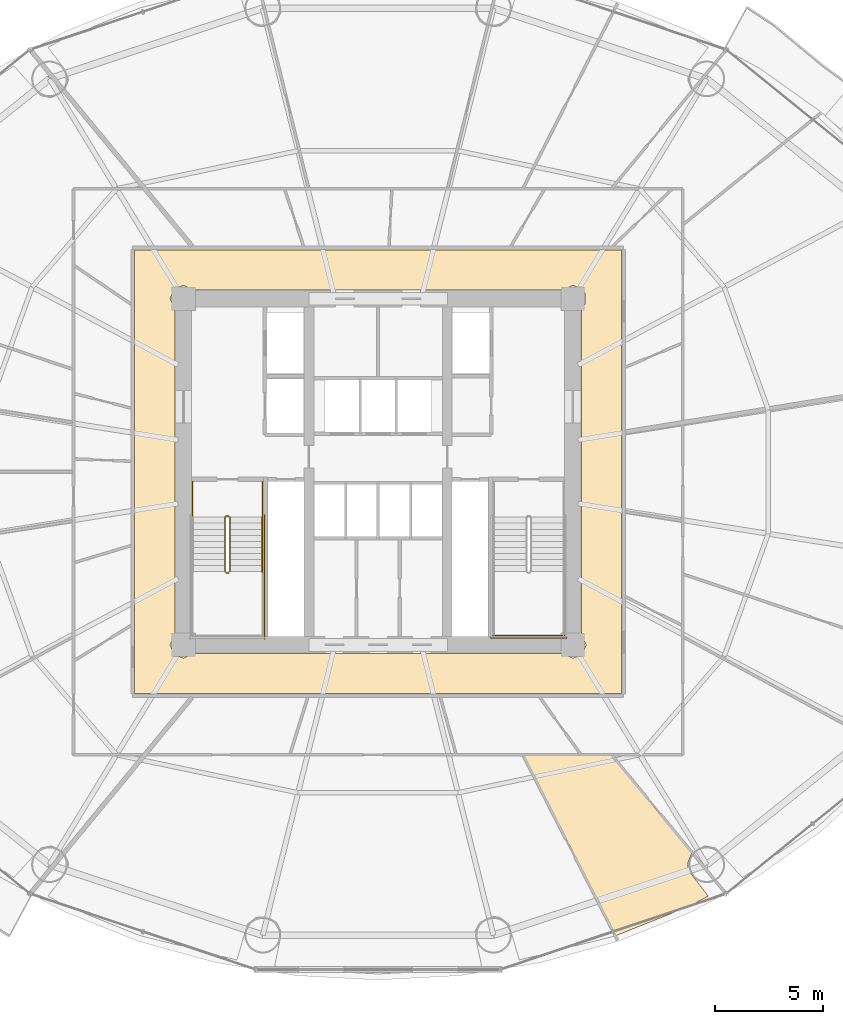
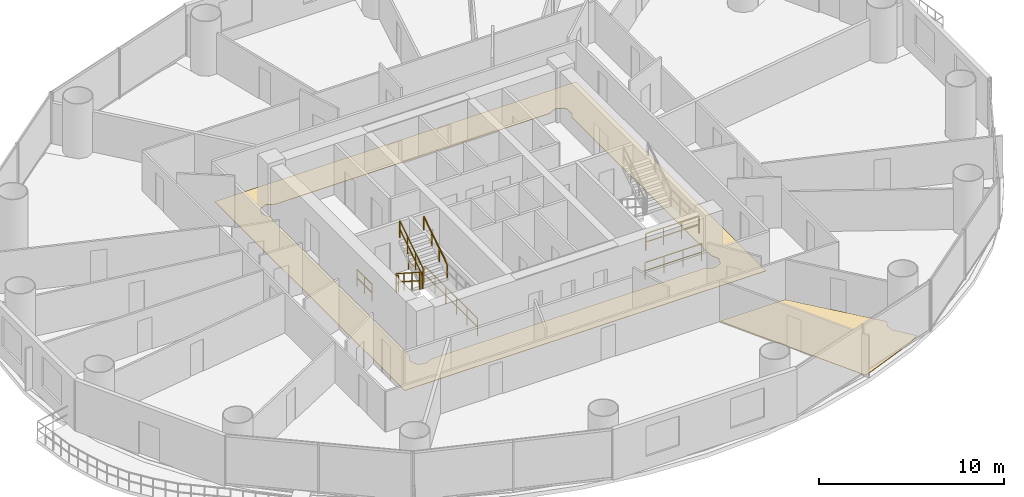
# One storey, part 26 of 28: 10 railings, 2 coverings.
"""IFC4 building model written with IfcOpenShell, lengths in metres."""

from ifc_helpers import new_model, si_unit, direction, frame, origin, origin_2d, place, context, subcontext, project, spatial, polyline, rectangle, outline, extrude, material, layer, layer_set, type_object, element, save


model = new_model("IFC4")

# Units and contexts
model_context = context("Model", 3, precision=1e-05, world=origin(), true_north=direction((-0.2419218956, 0.970295726276)))
body_context = subcontext(model_context, "Body", "Model", "MODEL_VIEW")
ifc_project = project(units=[si_unit("LENGTHUNIT", "METRE"), si_unit("AREAUNIT", "SQUARE_METRE"), si_unit("VOLUMEUNIT", "CUBIC_METRE"), si_unit("PLANEANGLEUNIT", "RADIAN"), si_unit("MASSUNIT", "GRAM", prefix="KILO")], contexts=[model_context])

# Site, building, storey
site_placement = place(None, origin())
site = spatial("IfcSite", under=ifc_project, at=site_placement, CompositionType="ELEMENT")
building_placement = place(site_placement, origin())
building = spatial("IfcBuilding", under=site, at=building_placement, Name="Cobrevalo Terracotta Tower", CompositionType="ELEMENT")
storey_placement = place(building_placement, frame((0.0, 0.0, 42.0)))
storey = spatial("IfcBuildingStorey", under=building, at=storey_placement, Name="L10", CompositionType="ELEMENT", Elevation=42.0)

# Coverings
ifc_material_1 = material(Name="Engineered Brazilian hardwood flooring", Category="wood")
ifc_layer_1 = layer(ifc_material_1, 0.028076171875)
ifc_layer_set_1 = layer_set([ifc_layer_1], Name="Engineered Brazilian hardwood flooring")
covering_type_1 = type_object("IfcCoveringType", Name="Engineered Hardwood Suite Flooring 28", PredefinedType="FLOORING", material=ifc_layer_set_1)
covering_1_placement = place(storey_placement, origin())
element("IfcCovering", 1, at=covering_1_placement, inside=storey, type_object=covering_type_1, Name="Flat L10C Master Bedroom floor finish", PredefinedType="FLOORING", context=body_context, shape_type="SweptSolid", body=[
    extrude(outline(polyline([(48.9873046875, 5.3486328125), (44.72119140625, 13.695068359375), (48.780029296875, 13.695068359375), (52.5048828125, 9.177490234375), (52.318115234375, 8.71044921875), (52.35498046875, 8.369140625), (53.26318359375, 7.178955078125), (52.361572265625, 6.691650390625), (48.9873046875, 5.3486328125)])), origin(), (0.0, 0.0, 1.0), 0.030029296875),
])
ifc_material_2 = material(Name="Honed terracotta and granite tile", Category="masonry")
ifc_layer_2 = layer(ifc_material_2, 0.034912109375)
ifc_layer_set_2 = layer_set([ifc_layer_2], Name="Honed terracotta and granite tile")
covering_type_2 = type_object("IfcCoveringType", Name="Honed Terracotta & Granite Interior Flooring 35", PredefinedType="FLOORING", material=ifc_layer_set_2)
covering_2_placement = place(storey_placement, origin())
element("IfcCovering", 2, at=covering_2_placement, inside=storey, type_object=covering_type_2, Name="L10 Residential Floor Corridor floor finish", PredefinedType="FLOORING", context=body_context, shape_type="SweptSolid", body=[
    extrude(outline(polyline([(49.2548828125, 37.054931640625), (49.2548828125, 16.544921875), (26.7451171875, 16.544921875), (26.7451171875, 37.054931640625), (49.2548828125, 37.054931640625)]), holes=[polyline([(47.39501953125, 34.33203125), (47.5732421875, 34.5625), (47.5732421875, 35.037353515625), (47.438720703125, 35.23876953125), (47.0, 35.42041015625), (46.5322265625, 35.195068359375), (29.4677734375, 35.195068359375), (29.0, 35.42041015625), (28.561279296875, 35.23876953125), (28.379638671875, 34.800048828125), (28.60498046875, 34.33203125), (28.60498046875, 19.267822265625), (28.379638671875, 18.800048828125), (28.561279296875, 18.361328125), (29.0, 18.1796875), (29.4677734375, 18.405029296875), (46.5322265625, 18.405029296875), (47.0, 18.1796875), (47.438720703125, 18.361328125), (47.620361328125, 18.800048828125), (47.39501953125, 19.267822265625), (47.39501953125, 34.33203125)])]), origin(), (0.0, 0.0, 1.0), 0.030029296875),
])

# Railings
ifc_material_3 = material(Name="Brushed stainless steel", Category="steel")
railing_type_1 = type_object("IfcRailingType", Name="Stainless Steel Stair Handrail 900", PredefinedType="HANDRAIL", material=ifc_material_3)
railing_1_placement = place(storey_placement, frame((32.64501953125, 22.179931640625, 1.97998046875)))
element("IfcRailing", 3, at=railing_1_placement, inside=storey, type_object=railing_type_1, Name="L10 ST-1 stair handrail 2", PredefinedType="HANDRAIL", context=body_context, shape_type="SweptSolid", body=[
    extrude(rectangle(XDim=0.048095703125, YDim=0.048095703125, at=origin_2d()), frame((0.0, 0.0, 0.8759765625), z_axis=(0.0, 0.841162588446, 0.540782303519), x_axis=(-1.0, 0.0, 0.0)), (0.0, 0.0, 1.0), 2.995849609375),
    extrude(rectangle(XDim=0.0419921875, YDim=0.0419921875, at=origin_2d()), origin(), (0.0, 0.0, 1.0), 0.851806640625),
    extrude(rectangle(XDim=0.0419921875, YDim=0.0419921875, at=origin_2d()), frame((0.0, 0.840087890625, 0.5400390625)), (0.0, 0.0, 1.0), 0.851806640625),
    extrude(rectangle(XDim=0.0419921875, YDim=0.0419921875, at=origin_2d()), frame((0.0, 1.679931640625, 1.080078125)), (0.0, 0.0, 1.0), 0.851806640625),
    extrude(rectangle(XDim=0.0419921875, YDim=0.0419921875, at=origin_2d()), frame((0.0, 2.52001953125, 1.6201171875)), (0.0, 0.0, 1.0), 0.851806640625),
])
ifc_material_4 = material(Name="Painted galvanized steel", Category="steel")
railing_type_2 = type_object("IfcRailingType", Name="Stair Well Guard Balustrade 1150", PredefinedType="GUARDRAIL", material=ifc_material_4)
railing_2_placement = place(storey_placement, frame((30.925048828125, 24.699951171875, 0.179931640625)))
element("IfcRailing", 4, at=railing_2_placement, inside=storey, type_object=railing_type_2, Name="L10 ST-1 stair guard 1", PredefinedType="GUARDRAIL", context=body_context, shape_type="SweptSolid", body=[
    extrude(rectangle(XDim=0.048095703125, YDim=0.048095703125, at=origin_2d()), frame((0.0, 0.0, 1.1259765625), z_axis=(0.0, -0.841162588446, 0.540782303519), x_axis=(1.0, 0.0, 0.0)), (0.0, 0.0, 1.0), 2.995849609375),
    extrude(rectangle(XDim=0.048095703125, YDim=0.048095703125, at=origin_2d()), frame((0.0, 0.0, 0.574951171875), z_axis=(0.0, -0.841162588446, 0.540782303519), x_axis=(1.0, 0.0, 0.0)), (0.0, 0.0, 1.0), 2.995849609375),
    extrude(rectangle(XDim=0.0419921875, YDim=0.0419921875, at=origin_2d()), origin(), (0.0, 0.0, 1.0), 1.101806640625),
    extrude(rectangle(XDim=0.0419921875, YDim=0.0419921875, at=origin_2d()), frame((0.0, -0.840087890625, 0.5400390625)), (0.0, 0.0, 1.0), 1.101806640625),
    extrude(rectangle(XDim=0.0419921875, YDim=0.0419921875, at=origin_2d()), frame((0.0, -1.679931640625, 1.080078125)), (0.0, 0.0, 1.0), 1.101806640625),
    extrude(rectangle(XDim=0.0419921875, YDim=0.0419921875, at=origin_2d()), frame((0.0, -2.52001953125, 1.6201171875)), (0.0, 0.0, 1.0), 1.101806640625),
])
railing_3_placement = place(storey_placement, frame((30.97509765625, 22.1298828125, 1.800048828125)))
element("IfcRailing", 5, at=railing_3_placement, inside=storey, type_object=railing_type_2, Name="L10 ST-1 stair guard 2", PredefinedType="GUARDRAIL", context=body_context, shape_type="SweptSolid", body=[
    extrude(rectangle(XDim=0.048095703125, YDim=0.048095703125, at=origin_2d()), frame((0.0, 0.0, 1.1259765625), z_axis=(1.0, 0.0, 0.0), x_axis=(0.0, 1.0, 0.0)), (0.0, 0.0, 1.0), 0.119873046875),
    extrude(rectangle(XDim=0.048095703125, YDim=0.048095703125, at=origin_2d()), frame((0.0, 0.0, 0.574951171875), z_axis=(1.0, 0.0, 0.0), x_axis=(0.0, 1.0, 0.0)), (0.0, 0.0, 1.0), 0.119873046875),
    extrude(rectangle(XDim=0.0419921875, YDim=0.0419921875, at=origin_2d()), origin(), (0.0, 0.0, 1.0), 1.101806640625),
    extrude(rectangle(XDim=0.0419921875, YDim=0.0419921875, at=origin_2d()), frame((0.119873046875, 0.0, 0.0)), (0.0, 0.0, 1.0), 1.101806640625),
])
railing_4_placement = place(storey_placement, frame((31.14501953125, 22.179931640625, 1.97998046875)))
element("IfcRailing", 6, at=railing_4_placement, inside=storey, type_object=railing_type_2, Name="L10 ST-1 stair guard 6", PredefinedType="GUARDRAIL", context=body_context, shape_type="SweptSolid", body=[
    extrude(rectangle(XDim=0.048095703125, YDim=0.048095703125, at=origin_2d()), frame((0.0, 0.0, 1.1259765625), z_axis=(0.0, 0.841162588446, 0.540782303519), x_axis=(-1.0, 0.0, 0.0)), (0.0, 0.0, 1.0), 2.995849609375),
    extrude(rectangle(XDim=0.048095703125, YDim=0.048095703125, at=origin_2d()), frame((0.0, 0.0, 0.574951171875), z_axis=(0.0, 0.841162588446, 0.540782303519), x_axis=(-1.0, 0.0, 0.0)), (0.0, 0.0, 1.0), 2.995849609375),
    extrude(rectangle(XDim=0.0419921875, YDim=0.0419921875, at=origin_2d()), origin(), (0.0, 0.0, 1.0), 1.101806640625),
    extrude(rectangle(XDim=0.0419921875, YDim=0.0419921875, at=origin_2d()), frame((0.0, 0.840087890625, 0.5400390625)), (0.0, 0.0, 1.0), 1.101806640625),
    extrude(rectangle(XDim=0.0419921875, YDim=0.0419921875, at=origin_2d()), frame((0.0, 1.679931640625, 1.080078125)), (0.0, 0.0, 1.0), 1.101806640625),
    extrude(rectangle(XDim=0.0419921875, YDim=0.0419921875, at=origin_2d()), frame((0.0, 2.52001953125, 1.6201171875)), (0.0, 0.0, 1.0), 1.101806640625),
])
railing_5_placement = place(storey_placement, frame((30.97509765625, 24.75, 0.0)))
element("IfcRailing", 7, at=railing_5_placement, inside=storey, type_object=railing_type_2, Name="L10 ST-1 stair guard 7", PredefinedType="GUARDRAIL", context=body_context, shape_type="SweptSolid", body=[
    extrude(rectangle(XDim=0.048095703125, YDim=0.048095703125, at=origin_2d()), frame((0.0, 0.0, 1.1259765625), z_axis=(1.0, 0.0, 0.0), x_axis=(0.0, 1.0, 0.0)), (0.0, 0.0, 1.0), 0.119873046875),
    extrude(rectangle(XDim=0.048095703125, YDim=0.048095703125, at=origin_2d()), frame((0.0, 0.0, 0.574951171875), z_axis=(1.0, 0.0, 0.0), x_axis=(0.0, 1.0, 0.0)), (0.0, 0.0, 1.0), 0.119873046875),
    extrude(rectangle(XDim=0.0419921875, YDim=0.0419921875, at=origin_2d()), origin(), (0.0, 0.0, 1.0), 1.101806640625),
    extrude(rectangle(XDim=0.0419921875, YDim=0.0419921875, at=origin_2d()), frame((0.119873046875, 0.0, 0.0)), (0.0, 0.0, 1.0), 1.101806640625),
])
for number, where, name in (
    (8, (29.425048828125, 26.35009765625, 0.0), "L10 ST-1 stair guard 8"),
    (9, (32.64501953125, 26.35009765625, 0.0), "L10 ST-1 stair guard 9"),
):
    element("IfcRailing", number, at=place(storey_placement, frame(where)), inside=storey, type_object=railing_type_2, Name=name, PredefinedType="GUARDRAIL", context=body_context, shape_type="SweptSolid", body=[
        extrude(rectangle(XDim=0.048095703125, YDim=0.048095703125, at=origin_2d()), frame((0.0, 0.0, 1.1259765625), z_axis=(0.0, -1.0, 0.0), x_axis=(1.0, 0.0, 0.0)), (0.0, 0.0, 1.0), 1.650146484375),
        extrude(rectangle(XDim=0.048095703125, YDim=0.048095703125, at=origin_2d()), frame((0.0, 0.0, 0.574951171875), z_axis=(0.0, -1.0, 0.0), x_axis=(1.0, 0.0, 0.0)), (0.0, 0.0, 1.0), 1.650146484375),
        extrude(rectangle(XDim=0.0419921875, YDim=0.0419921875, at=origin_2d()), origin(), (0.0, 0.0, 1.0), 1.101806640625),
        extrude(rectangle(XDim=0.0419921875, YDim=0.0419921875, at=origin_2d()), frame((0.0, -0.8251953125, 0.0)), (0.0, 0.0, 1.0), 1.101806640625),
        extrude(rectangle(XDim=0.0419921875, YDim=0.0419921875, at=origin_2d()), frame((0.0, -1.650146484375, 0.0)), (0.0, 0.0, 1.0), 1.101806640625),
    ])
railing_6_placement = place(storey_placement, frame((32.7451171875, 24.800048828125, 0.0)))
element("IfcRailing", 10, at=railing_6_placement, inside=storey, type_object=railing_type_2, Name="L10 ST-1 stair guard 11", PredefinedType="GUARDRAIL", context=body_context, shape_type="SweptSolid", body=[
    extrude(rectangle(XDim=0.048095703125, YDim=0.048095703125, at=origin_2d()), frame((0.0, 0.0, 1.1259765625), z_axis=(0.0, -1.0, 0.0), x_axis=(1.0, 0.0, 0.0)), (0.0, 0.0, 1.0), 5.72509765625),
    extrude(rectangle(XDim=0.048095703125, YDim=0.048095703125, at=origin_2d()), frame((0.0, 0.0, 0.574951171875), z_axis=(0.0, -1.0, 0.0), x_axis=(1.0, 0.0, 0.0)), (0.0, 0.0, 1.0), 5.72509765625),
    extrude(rectangle(XDim=0.0419921875, YDim=0.0419921875, at=origin_2d()), origin(), (0.0, 0.0, 1.0), 1.101806640625),
    extrude(rectangle(XDim=0.0419921875, YDim=0.0419921875, at=origin_2d()), frame((0.0, -1.14501953125, 0.0)), (0.0, 0.0, 1.0), 1.101806640625),
    extrude(rectangle(XDim=0.0419921875, YDim=0.0419921875, at=origin_2d()), frame((0.0, -2.2900390625, 0.0)), (0.0, 0.0, 1.0), 1.101806640625),
    extrude(rectangle(XDim=0.0419921875, YDim=0.0419921875, at=origin_2d()), frame((0.0, -3.43505859375, 0.0)), (0.0, 0.0, 1.0), 1.101806640625),
    extrude(rectangle(XDim=0.0419921875, YDim=0.0419921875, at=origin_2d()), frame((0.0, -4.580078125, 0.0)), (0.0, 0.0, 1.0), 1.101806640625),
    extrude(rectangle(XDim=0.0419921875, YDim=0.0419921875, at=origin_2d()), frame((0.0, -5.72509765625, 0.0)), (0.0, 0.0, 1.0), 1.101806640625),
])
railing_7_placement = place(storey_placement, frame((43.304931640625, 19.22509765625, 1.800048828125)))
element("IfcRailing", 11, at=railing_7_placement, inside=storey, type_object=railing_type_2, Name="L10 ST-2 stair guard 5", PredefinedType="GUARDRAIL", context=body_context, shape_type="SweptSolid", body=[
    extrude(rectangle(XDim=0.048095703125, YDim=0.048095703125, at=origin_2d()), frame((0.0, 0.0, 1.1259765625), z_axis=(1.0, 0.0, 0.0), x_axis=(0.0, 1.0, 0.0)), (0.0, 0.0, 1.0), 3.320068359375),
    extrude(rectangle(XDim=0.048095703125, YDim=0.048095703125, at=origin_2d()), frame((0.0, 0.0, 0.574951171875), z_axis=(1.0, 0.0, 0.0), x_axis=(0.0, 1.0, 0.0)), (0.0, 0.0, 1.0), 3.320068359375),
    extrude(rectangle(XDim=0.0419921875, YDim=0.0419921875, at=origin_2d()), origin(), (0.0, 0.0, 1.0), 1.101806640625),
    extrude(rectangle(XDim=0.0419921875, YDim=0.0419921875, at=origin_2d()), frame((1.106689453125, 0.0, 0.0)), (0.0, 0.0, 1.0), 1.101806640625),
    extrude(rectangle(XDim=0.0419921875, YDim=0.0419921875, at=origin_2d()), frame((2.21337890625, 0.0, 0.0)), (0.0, 0.0, 1.0), 1.101806640625),
    extrude(rectangle(XDim=0.0419921875, YDim=0.0419921875, at=origin_2d()), frame((3.320068359375, 0.0, 0.0)), (0.0, 0.0, 1.0), 1.101806640625),
])
railing_8_placement = place(storey_placement, frame((43.205078125, 19.125, 0.0)))
element("IfcRailing", 12, at=railing_8_placement, inside=storey, type_object=railing_type_2, Name="L10 ST-2 stair guard 12", PredefinedType="GUARDRAIL", context=body_context, shape_type="SweptSolid", body=[
    extrude(rectangle(XDim=0.048095703125, YDim=0.048095703125, at=origin_2d()), frame((0.0, 0.0, 1.1259765625), z_axis=(1.0, 0.0, 0.0), x_axis=(0.0, 1.0, 0.0)), (0.0, 0.0, 1.0), 3.52001953125),
    extrude(rectangle(XDim=0.048095703125, YDim=0.048095703125, at=origin_2d()), frame((0.0, 0.0, 0.574951171875), z_axis=(1.0, 0.0, 0.0), x_axis=(0.0, 1.0, 0.0)), (0.0, 0.0, 1.0), 3.52001953125),
    extrude(rectangle(XDim=0.0419921875, YDim=0.0419921875, at=origin_2d()), origin(), (0.0, 0.0, 1.0), 1.101806640625),
    extrude(rectangle(XDim=0.0419921875, YDim=0.0419921875, at=origin_2d()), frame((1.17333984375, 0.0, 0.0)), (0.0, 0.0, 1.0), 1.101806640625),
    extrude(rectangle(XDim=0.0419921875, YDim=0.0419921875, at=origin_2d()), frame((2.3466796875, 0.0, 0.0)), (0.0, 0.0, 1.0), 1.101806640625),
    extrude(rectangle(XDim=0.0419921875, YDim=0.0419921875, at=origin_2d()), frame((3.52001953125, 0.0, 0.0)), (0.0, 0.0, 1.0), 1.101806640625),
])

save(model, "model.ifc")
